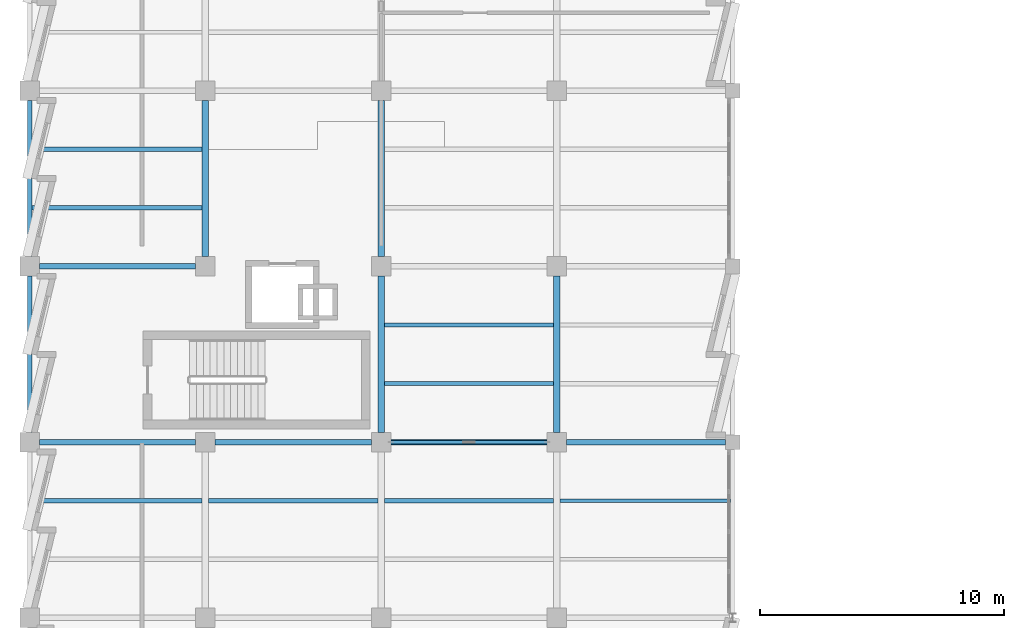
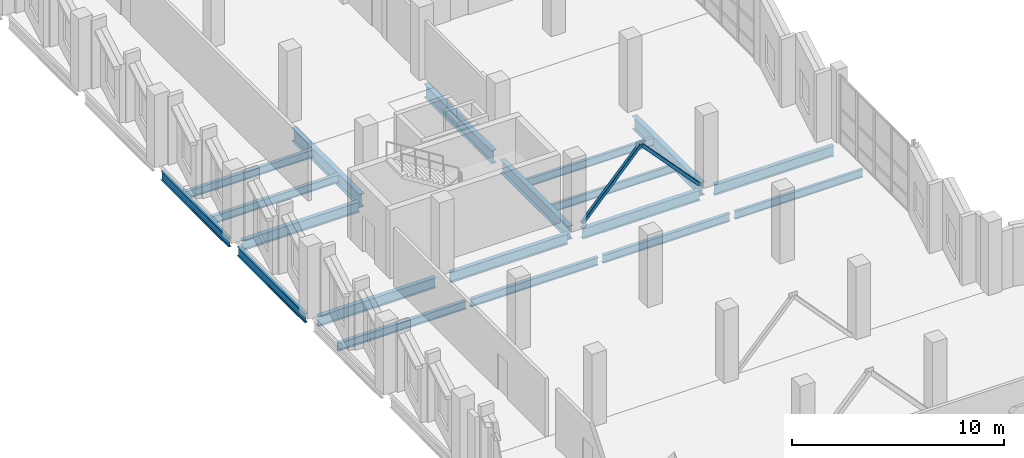
# One storey, part 27 of 94: 19 beams, 2 members.
"""IFC4 building model written with IfcOpenShell, lengths in metres."""

from ifc_helpers import new_model, si_unit, direction, frame, origin, origin_2d, place, context, subcontext, project, spatial, hollow_rectangle, i_section, extrude, material, material_profile, profile_set, type_object, element, save


model = new_model("IFC4")

# Units and contexts
model_context = context("Model", 3, precision=1e-05, world=origin(), true_north=direction((0.0, 1.0)))
body_context = subcontext(model_context, "Body", "Model", "MODEL_VIEW")
ifc_project = project(units=[si_unit("LENGTHUNIT", "METRE"), si_unit("AREAUNIT", "SQUARE_METRE"), si_unit("VOLUMEUNIT", "CUBIC_METRE"), si_unit("PLANEANGLEUNIT", "RADIAN"), si_unit("MASSUNIT", "GRAM", prefix="KILO")], contexts=[model_context])

# Site, building, storey
site_placement = place(None, origin())
site = spatial("IfcSite", under=ifc_project, at=site_placement, CompositionType="ELEMENT")
building_placement = place(site_placement, origin())
building = spatial("IfcBuilding", under=site, at=building_placement, Name="Kalmorath City Hall", CompositionType="ELEMENT")
storey_placement = place(building_placement, frame((0.0, 0.0, 14.699951171875)))
storey = spatial("IfcBuildingStorey", under=building, at=storey_placement, Name="L03", CompositionType="ELEMENT", Elevation=14.699951171875)

# Beams
ifc_material_1 = material(Name="Steel ASTM A992 Grade 50", Category="steel")
ifc_material_profile_1 = material_profile(ifc_material_1, i_section(OverallWidth=0.153076171875, OverallDepth=0.455078125, WebThickness=0.008056640625, FlangeThickness=0.01318359375, FilletRadius=0.013916015625, at=origin_2d()), Name="W18X40")
ifc_profile_set_1 = profile_set([ifc_material_profile_1], Name="Steel ASTM A992 Grade 50")
beam_type_1 = type_object("IfcBeamType", Name="Steel composite joist W18X40", PredefinedType="JOIST", material=ifc_profile_set_1)
for number, where, z_axis, x_axis, name in (
    (1, (14.533935546875, 52.800048828125, -0.491455078125), (1.0, 0.0, 0.0), (0.0, 1.0, 0.0), "L03 joist SJ4 3.8.1"),
    (2, (14.533935546875, 55.199951171875, -0.491455078125), (1.0, 0.0, 0.0), (0.0, 1.0, 0.0), "L03 joist SJ4 3.8.2"),
):
    element("IfcBeam", number, at=place(storey_placement, frame(where, z_axis=z_axis, x_axis=x_axis)), inside=storey, type_object=beam_type_1, Name=name, PredefinedType="JOIST", context=body_context, shape_type="SweptSolid", body=[
        extrude(i_section(OverallWidth=0.153076171875, OverallDepth=0.455078125, WebThickness=0.008056640625, FlangeThickness=0.01318359375, FilletRadius=0.013916015625, at=origin_2d()), origin(), (0.0, 0.0, 1.0), 6.93212890625),
    ])
beam_1_placement = place(storey_placement, frame((21.73388671875, 48.0, -0.491455078125), z_axis=(1.0, 0.0, 0.0), x_axis=(0.0, 1.0, 0.0)))
element("IfcBeam", 3, at=beam_1_placement, inside=storey, type_object=beam_type_1, Name="L03 joist SJ4 4.7.2", PredefinedType="JOIST", context=body_context, shape_type="SweptSolid", body=[
    extrude(i_section(OverallWidth=0.153076171875, OverallDepth=0.455078125, WebThickness=0.008056640625, FlangeThickness=0.01318359375, FilletRadius=0.013916015625, at=origin_2d()), origin(), (0.0, 0.0, 1.0), 6.983642578125),
])
ifc_material_2 = material(Name="Steel ASTM A992 Grade 50", Category="steel")
ifc_material_profile_2 = material_profile(ifc_material_2, i_section(OverallWidth=0.19091796875, OverallDepth=0.45703125, WebThickness=0.009033203125, FlangeThickness=0.014404296875, FilletRadius=0.013916015625, at=origin_2d()), Name="W18X50")
ifc_profile_set_2 = profile_set([ifc_material_profile_2], Name="Steel ASTM A992 Grade 50")
beam_type_2 = type_object("IfcBeamType", Name="Steel composite joist W18X50", PredefinedType="JOIST", material=ifc_profile_set_2)
for number, where, z_axis, x_axis, name in (
    (4, (0.08251953125, 60.0, -0.492431640625), (1.0, 0.0, 0.0), (0.0, 1.0, 0.0), "L03 joist SJ3 1.9.1"),
    (5, (0.08251953125, 62.39990234375, -0.492431640625), (1.0, 0.0, 0.0), (0.0, 1.0, 0.0), "L03 joist SJ3 1.9.2"),
):
    element("IfcBeam", number, at=place(storey_placement, frame(where, z_axis=z_axis, x_axis=x_axis)), inside=storey, type_object=beam_type_2, Name=name, PredefinedType="JOIST", context=body_context, shape_type="SweptSolid", body=[
        extrude(i_section(OverallWidth=0.19091796875, OverallDepth=0.45703125, WebThickness=0.009033203125, FlangeThickness=0.014404296875, FilletRadius=0.013916015625, at=origin_2d()), origin(), (0.0, 0.0, 1.0), 6.9833984375),
    ])
beam_2_placement = place(storey_placement, frame((14.533935546875, 48.0, -0.492431640625), z_axis=(1.0, 0.0, 0.0), x_axis=(0.0, 1.0, 0.0)))
element("IfcBeam", 6, at=beam_2_placement, inside=storey, type_object=beam_type_2, Name="L03 joist SJ3 3.7.2", PredefinedType="JOIST", context=body_context, shape_type="SweptSolid", body=[
    extrude(i_section(OverallWidth=0.19091796875, OverallDepth=0.45703125, WebThickness=0.009033203125, FlangeThickness=0.014404296875, FilletRadius=0.013916015625, at=origin_2d()), origin(), (0.0, 0.0, 1.0), 6.93212890625),
])
ifc_material_3 = material(Name="Steel ASTM A992 Grade 50", Category="steel")
ifc_material_profile_3 = material_profile(ifc_material_3, i_section(OverallWidth=0.19091796875, OverallDepth=0.4599609375, WebThickness=0.010009765625, FlangeThickness=0.01611328125, FilletRadius=0.013916015625, at=origin_2d()), Name="W18X55")
ifc_profile_set_3 = profile_set([ifc_material_profile_3], Name="Steel ASTM A992 Grade 50")
beam_type_3 = type_object("IfcBeamType", Name="Steel composite joist W18X55", PredefinedType="JOIST", material=ifc_profile_set_3)
beam_3_placement = place(storey_placement, frame((7.333984375, 48.0, -0.493896484375), z_axis=(1.0, 0.0, 0.0), x_axis=(0.0, 1.0, 0.0)))
element("IfcBeam", 7, at=beam_3_placement, inside=storey, type_object=beam_type_3, Name="L03 joist SJ2 2.7.2", PredefinedType="JOIST", context=body_context, shape_type="SweptSolid", body=[
    extrude(i_section(OverallWidth=0.19091796875, OverallDepth=0.4599609375, WebThickness=0.010009765625, FlangeThickness=0.01611328125, FilletRadius=0.013916015625, at=origin_2d()), origin(), (0.0, 0.0, 1.0), 6.93212890625),
])
ifc_material_4 = material(Name="Steel ASTM A992 Grade 50", Category="steel")
ifc_material_profile_4 = material_profile(ifc_material_4, i_section(OverallWidth=0.193115234375, OverallDepth=0.466064453125, WebThickness=0.011474609375, FlangeThickness=0.01904296875, FilletRadius=0.013916015625, at=origin_2d()), Name="W18X65")
ifc_profile_set_4 = profile_set([ifc_material_profile_4], Name="Steel ASTM A992 Grade 50")
beam_type_4 = type_object("IfcBeamType", Name="Steel composite joist W18X65", PredefinedType="JOIST", material=ifc_profile_set_4)
beam_4_placement = place(storey_placement, frame((0.08251953125, 48.0, -0.4970703125), z_axis=(1.0, 0.0, 0.0), x_axis=(0.0, 1.0, 0.0)))
element("IfcBeam", 8, at=beam_4_placement, inside=storey, type_object=beam_type_4, Name="L03 joist SJ1 1.7.2", PredefinedType="JOIST", context=body_context, shape_type="SweptSolid", body=[
    extrude(i_section(OverallWidth=0.193115234375, OverallDepth=0.466064453125, WebThickness=0.011474609375, FlangeThickness=0.01904296875, FilletRadius=0.013916015625, at=origin_2d()), origin(), (0.0, 0.0, 1.0), 6.9833984375),
])
ifc_material_5 = material(Name="Steel ASTM A992 Grade 50", Category="steel")
ifc_material_profile_5 = material_profile(ifc_material_5, i_section(OverallWidth=0.22802734375, OverallDepth=0.60302734375, WebThickness=0.010498046875, FlangeThickness=0.014892578125, FilletRadius=0.01611328125, at=origin_2d()), Name="W24X68")
ifc_profile_set_5 = profile_set([ifc_material_profile_5], Name="Steel ASTM A992 Grade 50")
beam_type_5 = type_object("IfcBeamType", Name="Steel floor girder W24X68", PredefinedType="BEAM", material=ifc_profile_set_5)
beam_5_placement = place(storey_placement, frame((0.39990234375, 50.39990234375, -0.5654296875), z_axis=(1.0, 0.0, 0.0), x_axis=(0.0, 1.0, 0.0)))
element("IfcBeam", 9, at=beam_5_placement, inside=storey, type_object=beam_type_5, Name="L03 girder SG9 X1-2/8", PredefinedType="BEAM", context=body_context, shape_type="SweptSolid", body=[
    extrude(i_section(OverallWidth=0.22802734375, OverallDepth=0.60302734375, WebThickness=0.010498046875, FlangeThickness=0.014892578125, FilletRadius=0.01611328125, at=origin_2d()), origin(), (0.0, 0.0, 1.0), 6.400146484375),
])
for number, where, z_axis, x_axis, name in (
    (10, (7.60009765625, 50.39990234375, -0.5654296875), (1.0, 0.0, 0.0), (0.0, 1.0, 0.0), "L03 girder SG9 X2-3/8"),
    (11, (14.800048828125, 50.39990234375, -0.5654296875), (1.0, 0.0, 0.0), (0.0, 1.0, 0.0), "L03 girder SG9 X3-4/8"),
):
    element("IfcBeam", number, at=place(storey_placement, frame(where, z_axis=z_axis, x_axis=x_axis)), inside=storey, type_object=beam_type_5, Name=name, PredefinedType="BEAM", context=body_context, shape_type="SweptSolid", body=[
        extrude(i_section(OverallWidth=0.22802734375, OverallDepth=0.60302734375, WebThickness=0.010498046875, FlangeThickness=0.014892578125, FilletRadius=0.01611328125, at=origin_2d()), origin(), (0.0, 0.0, 1.0), 6.39990234375),
    ])
beam_6_placement = place(storey_placement, frame((22.0, 50.39990234375, -0.5654296875), z_axis=(1.0, 0.0, 0.0), x_axis=(0.0, 1.0, 0.0)))
element("IfcBeam", 12, at=beam_6_placement, inside=storey, type_object=beam_type_5, Name="L03 girder SG9 X4-5/8", PredefinedType="BEAM", context=body_context, shape_type="SweptSolid", body=[
    extrude(i_section(OverallWidth=0.22802734375, OverallDepth=0.60302734375, WebThickness=0.010498046875, FlangeThickness=0.014892578125, FilletRadius=0.01611328125, at=origin_2d()), origin(), (0.0, 0.0, 1.0), 6.5),
])
beam_7_placement = place(storey_placement, frame((0.39990234375, 57.60009765625, -0.5654296875), z_axis=(1.0, 0.0, 0.0), x_axis=(0.0, 1.0, 0.0)))
element("IfcBeam", 13, at=beam_7_placement, inside=storey, type_object=beam_type_5, Name="L03 girder SG9 X1-2/9", PredefinedType="BEAM", context=body_context, shape_type="SweptSolid", body=[
    extrude(i_section(OverallWidth=0.22802734375, OverallDepth=0.60302734375, WebThickness=0.010498046875, FlangeThickness=0.014892578125, FilletRadius=0.01611328125, at=origin_2d()), origin(), (0.0, 0.0, 1.0), 6.400146484375),
])
ifc_material_6 = material(Name="Steel ASTM A992 Grade 50", Category="steel")
ifc_material_profile_6 = material_profile(ifc_material_6, i_section(OverallWidth=0.26806640625, OverallDepth=0.77001953125, WebThickness=0.015625, FlangeThickness=0.025390625, FilletRadius=0.02001953125, at=origin_2d()), Name="W30X132")
ifc_profile_set_6 = profile_set([ifc_material_profile_6], Name="Steel ASTM A992 Grade 50")
beam_type_6 = type_object("IfcBeamType", Name="Steel primary girder W30X132", PredefinedType="BEAM", material=ifc_profile_set_6)
for number, where, z_axis, x_axis, name in (
    (14, (7.199951171875, 58.0, -0.64892578125), (0.0, 1.0, 0.0), (-1.0, 0.0, 0.0), "L03 girder SG3 Y2/9-10"),
    (15, (14.39990234375, 50.800048828125, -0.64892578125), (0.0, 1.0, 0.0), (-1.0, 0.0, 0.0), "L03 girder SG3 Y3/8-9"),
    (16, (14.39990234375, 58.0, -0.64892578125), (0.0, 1.0, 0.0), (-1.0, 0.0, 0.0), "L03 girder SG3 Y3/9-10"),
    (17, (21.60009765625, 50.800048828125, -0.64892578125), (0.0, 1.0, 0.0), (-1.0, 0.0, 0.0), "L03 girder SG3 Y4/8-9"),
):
    element("IfcBeam", number, at=place(storey_placement, frame(where, z_axis=z_axis, x_axis=x_axis)), inside=storey, type_object=beam_type_6, Name=name, PredefinedType="BEAM", context=body_context, shape_type="SweptSolid", body=[
        extrude(i_section(OverallWidth=0.26806640625, OverallDepth=0.77001953125, WebThickness=0.015625, FlangeThickness=0.025390625, FilletRadius=0.02001953125, at=origin_2d()), origin(), (0.0, 0.0, 1.0), 6.39990234375),
    ])

# Members
ifc_material_7 = material(Name="Steel ASTM A500 Grade C", Category="steel")
ifc_material_profile_7 = material_profile(ifc_material_7, hollow_rectangle(XDim=0.177978515625, YDim=0.177978515625, WallThickness=0.0087890625, InnerFilletRadius=0.0087890625, OuterFilletRadius=0.017822265625, at=origin_2d()), Name="HSS178X178X9.5")
ifc_profile_set_7 = profile_set([ifc_material_profile_7], Name="Steel ASTM A500 Grade C")
member_type = type_object("IfcMemberType", Name="Steel seismic brace HSS178X178X9.5", PredefinedType="BRACE", material=ifc_profile_set_7)
for number, where, z_axis, x_axis, name in (
    (18, (14.800048828125, 50.39990234375, 0.0), (0.680043029649, 0.0, 0.733172202027), (0.0, 1.0, 0.0), "L03 chevron brace BR3 3A"),
    (19, (21.199951171875, 50.39990234375, 0.0), (-0.680043029649, 0.0, 0.733172202027), (0.0, -1.0, 0.0), "L03 chevron brace BR3 3B"),
):
    element("IfcMember", number, at=place(storey_placement, frame(where, z_axis=z_axis, x_axis=x_axis)), inside=storey, type_object=member_type, Name=name, PredefinedType="BRACE", context=body_context, shape_type="SweptSolid", body=[
        extrude(hollow_rectangle(XDim=0.177978515625, YDim=0.177978515625, WallThickness=0.0087890625, InnerFilletRadius=0.0087890625, OuterFilletRadius=0.017822265625, at=origin_2d()), origin(), (0.0, 0.0, 1.0), 4.70556640625),
    ])

# Beams
ifc_material_8 = material(Name="Steel ASTM A992 Grade 50", Category="steel")
ifc_material_profile_8 = material_profile(ifc_material_8, i_section(OverallWidth=0.1650390625, OverallDepth=0.52490234375, WebThickness=0.0087890625, FlangeThickness=0.011474609375, FilletRadius=0.014892578125, at=origin_2d()), Name="W21X44")
ifc_profile_set_8 = profile_set([ifc_material_profile_8], Name="Steel ASTM A992 Grade 50")
beam_type_7 = type_object("IfcBeamType", Name="Steel spandrel beam W21X44", PredefinedType="SPANDREL", material=ifc_profile_set_8)
for number, where, z_axis, x_axis, name in (
    (20, (0.0, 50.800048828125, -0.5263671875), (0.0, 1.0, 0.0), (-1.0, 0.0, 0.0), "L03 girder SB4 Y1/8-9"),
    (21, (0.0, 58.0, -0.5263671875), (0.0, 1.0, 0.0), (-1.0, 0.0, 0.0), "L03 girder SB4 Y1/9-10"),
):
    element("IfcBeam", number, at=place(storey_placement, frame(where, z_axis=z_axis, x_axis=x_axis)), inside=storey, type_object=beam_type_7, Name=name, PredefinedType="SPANDREL", context=body_context, shape_type="SweptSolid", body=[
        extrude(i_section(OverallWidth=0.1650390625, OverallDepth=0.52490234375, WebThickness=0.0087890625, FlangeThickness=0.011474609375, FilletRadius=0.014892578125, at=origin_2d()), origin(), (0.0, 0.0, 1.0), 6.39990234375),
    ])

save(model, "model.ifc")
